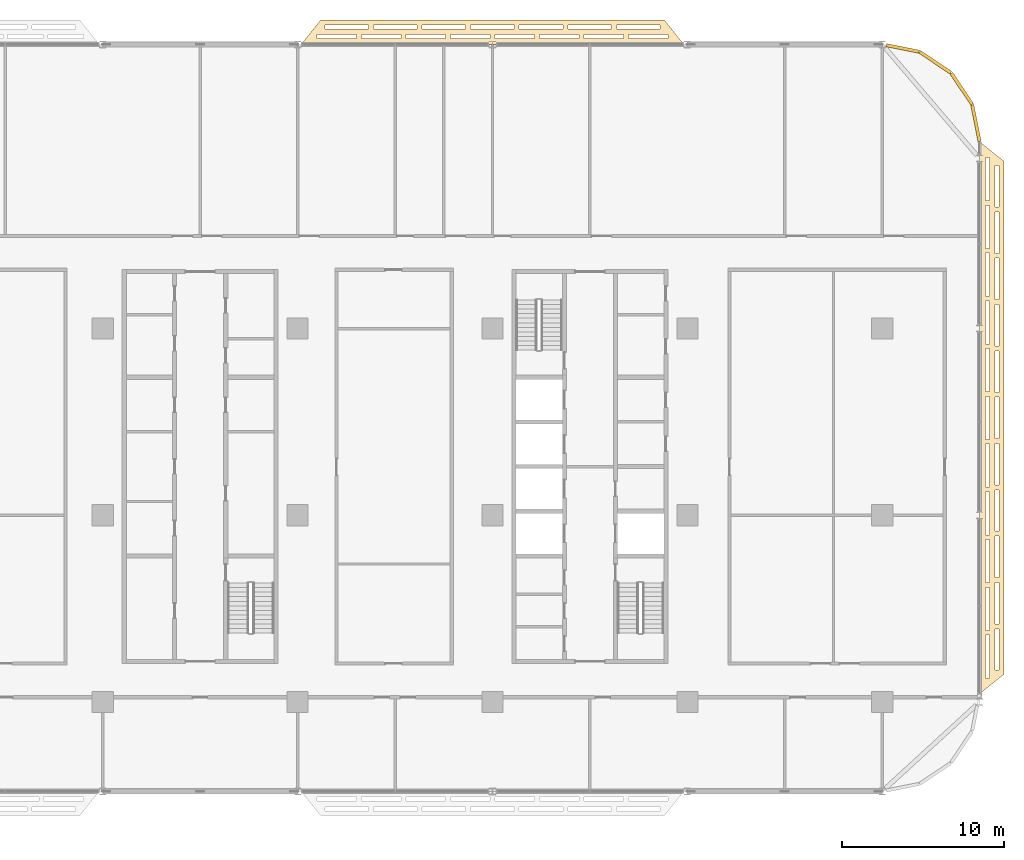
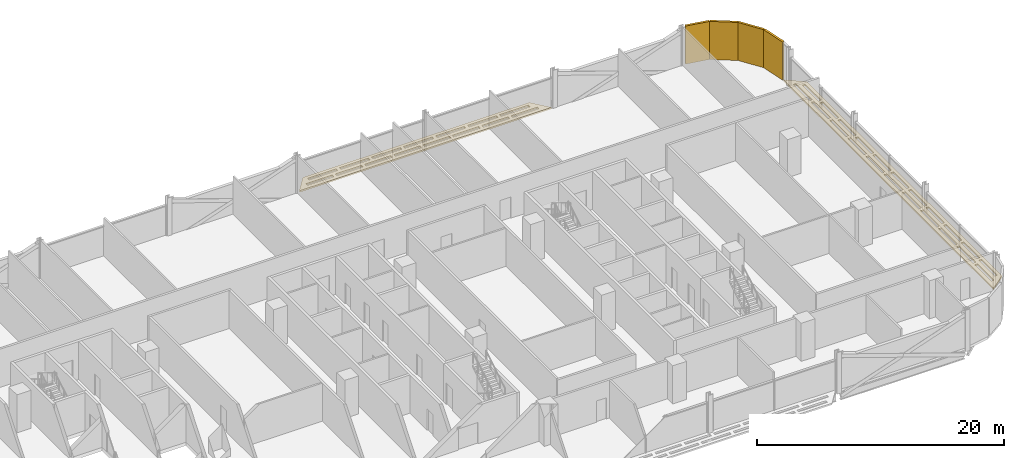
# One storey, part 29 of 29: 6 coverings.
"""IFC4 building model written with IfcOpenShell, lengths in metres."""

from ifc_helpers import new_model, si_unit, direction, frame, origin, origin_2d, place, context, subcontext, project, spatial, polyline, rectangle, outline, extrude, material, layer, layer_set, type_object, element, save


model = new_model("IFC4")

# Units and contexts
model_context = context("Model", 3, precision=1e-05, world=origin(), true_north=direction((0.0, 1.0)))
body_context = subcontext(model_context, "Body", "Model", "MODEL_VIEW")
ifc_project = project(units=[si_unit("LENGTHUNIT", "METRE"), si_unit("AREAUNIT", "SQUARE_METRE"), si_unit("VOLUMEUNIT", "CUBIC_METRE"), si_unit("PLANEANGLEUNIT", "RADIAN"), si_unit("MASSUNIT", "GRAM", prefix="KILO")], contexts=[model_context])

# Site, building, storey
site_placement = place(None, origin())
site = spatial("IfcSite", under=ifc_project, at=site_placement, CompositionType="ELEMENT")
building_placement = place(site_placement, origin())
building = spatial("IfcBuilding", under=site, at=building_placement, Name="Mahtab Terrace Research Tower", CompositionType="ELEMENT")
storey_placement = place(building_placement, frame((0.0, 0.0, 126.10009765625)))
storey = spatial("IfcBuildingStorey", under=building, at=storey_placement, Name="L29", CompositionType="ELEMENT", Elevation=126.10009765625)

# Coverings
ifc_material_1 = material(Name="Black aluminium cladding panel", Category="aluminium")
ifc_layer_1 = layer(ifc_material_1, 0.199951171875)
ifc_layer_set_1 = layer_set([ifc_layer_1], Name="Black metal corner cladding 200")
covering_type_1 = type_object("IfcCoveringType", Name="Black metal corner cladding 200", PredefinedType="CLADDING", material=ifc_layer_set_1)
for number, where, z_axis, x_axis, name in (
    (1, (46.89306640625, 26.26953125, 0.0), (0.0, 0.0, 1.0), (-0.555291490808, 0.831655794326, 0.0), "Corner cladding L29 0"),
    (2, (45.26953125, 27.89306640625, 0.0), (0.0, 0.0, 1.0), (-0.831655794326, 0.555291490808, 0.0), "Corner cladding L29 1"),
):
    element("IfcCovering", number, at=place(storey_placement, frame(where, z_axis=z_axis, x_axis=x_axis)), inside=storey, type_object=covering_type_1, Name=name, PredefinedType="CLADDING", context=body_context, shape_type="SweptSolid", body=[
        extrude(rectangle(XDim=2.30126953125, YDim=0.199951171875, at=origin_2d()), origin(), (0.0, 0.0, 1.0), 3.760009765625),
    ])
covering_1_placement = place(storey_placement, frame((43.263916015625, 28.74853515625, 0.0), z_axis=(0.0, 0.0, 1.0), x_axis=(-0.980760981187, 0.195212442692, 0.0)))
element("IfcCovering", 3, at=covering_1_placement, inside=storey, type_object=covering_type_1, Name="Corner cladding L29 2", PredefinedType="CLADDING", context=body_context, shape_type="SweptSolid", body=[
    extrude(rectangle(XDim=2.064697265625, YDim=0.199951171875, at=origin_2d()), origin(), (0.0, 0.0, 1.0), 3.760009765625),
])
covering_2_placement = place(storey_placement, frame((47.771484375, 24.14794921875, 0.0), z_axis=(0.0, 0.0, 1.0), x_axis=(-0.195212442692, 0.980760981187, 0.0)))
element("IfcCovering", 4, at=covering_2_placement, inside=storey, type_object=covering_type_1, Name="Corner cladding L29 40", PredefinedType="CLADDING", context=body_context, shape_type="SweptSolid", body=[
    extrude(rectangle(XDim=2.30126953125, YDim=0.199951171875, at=origin_2d()), origin(), (0.0, 0.0, 1.0), 3.760009765625),
])
ifc_material_2 = material(Name="Black anodised aluminium", Category="aluminium")
ifc_layer_2 = layer(ifc_material_2, 0.14990234375)
ifc_layer_set_2 = layer_set([ifc_layer_2], Name="Horizontal sunshade band")
covering_type_2 = type_object("IfcCoveringType", Name="Horizontal sunshade band", PredefinedType="CLADDING", material=ifc_layer_set_2)
covering_3_placement = place(storey_placement, frame((0.0, 0.0, -0.150146484375)))
element("IfcCovering", 5, at=covering_3_placement, inside=storey, type_object=covering_type_2, Name="Sunshade band L29 4", PredefinedType="CLADDING", context=body_context, shape_type="SweptSolid", body=[
    extrude(outline(polyline([(29.781982421875, 29.0), (6.218017578125, 29.0), (7.41796875, 30.5), (28.58203125, 30.5), (29.781982421875, 29.0)]), holes=[polyline([(28.802001953125, 29.35009765625), (26.364013671875, 29.35009765625), (26.364013671875, 29.60009765625), (28.802001953125, 29.60009765625), (28.802001953125, 29.35009765625)]), polyline([(26.06396484375, 29.35009765625), (23.6259765625, 29.35009765625), (23.6259765625, 29.60009765625), (26.06396484375, 29.60009765625), (26.06396484375, 29.35009765625)]), polyline([(23.325927734375, 29.35009765625), (20.887939453125, 29.35009765625), (20.887939453125, 29.60009765625), (23.325927734375, 29.60009765625), (23.325927734375, 29.35009765625)]), polyline([(20.587890625, 29.35009765625), (18.14990234375, 29.35009765625), (18.14990234375, 29.60009765625), (20.587890625, 29.60009765625), (20.587890625, 29.35009765625)]), polyline([(17.85009765625, 29.35009765625), (15.412109375, 29.35009765625), (15.412109375, 29.60009765625), (17.85009765625, 29.60009765625), (17.85009765625, 29.35009765625)]), polyline([(15.112060546875, 29.35009765625), (12.674072265625, 29.35009765625), (12.674072265625, 29.60009765625), (15.112060546875, 29.60009765625), (15.112060546875, 29.35009765625)]), polyline([(12.3740234375, 29.35009765625), (9.93603515625, 29.35009765625), (9.93603515625, 29.60009765625), (12.3740234375, 29.60009765625), (12.3740234375, 29.35009765625)]), polyline([(9.635986328125, 29.35009765625), (7.197998046875, 29.35009765625), (7.197998046875, 29.60009765625), (9.635986328125, 29.60009765625), (9.635986328125, 29.35009765625)]), polyline([(28.322021484375, 29.949951171875), (25.6298828125, 29.949951171875), (25.6298828125, 30.199951171875), (28.322021484375, 30.199951171875), (28.322021484375, 29.949951171875)]), polyline([(25.330078125, 29.949951171875), (22.637939453125, 29.949951171875), (22.637939453125, 30.199951171875), (25.330078125, 30.199951171875), (25.330078125, 29.949951171875)]), polyline([(22.337890625, 29.949951171875), (19.64599609375, 29.949951171875), (19.64599609375, 30.199951171875), (22.337890625, 30.199951171875), (22.337890625, 29.949951171875)]), polyline([(19.345947265625, 29.949951171875), (16.654052734375, 29.949951171875), (16.654052734375, 30.199951171875), (19.345947265625, 30.199951171875), (19.345947265625, 29.949951171875)]), polyline([(16.35400390625, 29.949951171875), (13.662109375, 29.949951171875), (13.662109375, 30.199951171875), (16.35400390625, 30.199951171875), (16.35400390625, 29.949951171875)]), polyline([(13.362060546875, 29.949951171875), (10.669921875, 29.949951171875), (10.669921875, 30.199951171875), (13.362060546875, 30.199951171875), (13.362060546875, 29.949951171875)]), polyline([(10.3701171875, 29.949951171875), (7.677978515625, 29.949951171875), (7.677978515625, 30.199951171875), (10.3701171875, 30.199951171875), (10.3701171875, 29.949951171875)])]), origin(), (0.0, 0.0, 1.0), 0.150146484375),
])
covering_4_placement = place(storey_placement, frame((0.0, 0.0, -0.150146484375)))
element("IfcCovering", 6, at=covering_4_placement, inside=storey, type_object=covering_type_2, Name="Sunshade band L29 36", PredefinedType="CLADDING", context=body_context, shape_type="SweptSolid", body=[
    extrude(outline(polyline([(48.0, -11.0), (48.0, 23.0), (49.5, 21.800048828125), (49.5, -9.800048828125), (48.0, -11.0)]), holes=[polyline([(48.35009765625, -10.02001953125), (48.35009765625, -7.3798828125), (48.60009765625, -7.3798828125), (48.60009765625, -10.02001953125), (48.35009765625, -10.02001953125)]), polyline([(48.35009765625, -7.080078125), (48.35009765625, -4.43994140625), (48.60009765625, -4.43994140625), (48.60009765625, -7.080078125), (48.35009765625, -7.080078125)]), polyline([(48.35009765625, -4.139892578125), (48.35009765625, -1.5), (48.60009765625, -1.5), (48.60009765625, -4.139892578125), (48.35009765625, -4.139892578125)]), polyline([(48.35009765625, -1.199951171875), (48.35009765625, 1.43994140625), (48.60009765625, 1.43994140625), (48.60009765625, -1.199951171875), (48.35009765625, -1.199951171875)]), polyline([(48.35009765625, 1.739990234375), (48.35009765625, 4.3798828125), (48.60009765625, 4.3798828125), (48.60009765625, 1.739990234375), (48.35009765625, 1.739990234375)]), polyline([(48.35009765625, 4.679931640625), (48.35009765625, 7.320068359375), (48.60009765625, 7.320068359375), (48.60009765625, 4.679931640625), (48.35009765625, 4.679931640625)]), polyline([(48.35009765625, 7.6201171875), (48.35009765625, 10.260009765625), (48.60009765625, 10.260009765625), (48.60009765625, 7.6201171875), (48.35009765625, 7.6201171875)]), polyline([(48.35009765625, 10.56005859375), (48.35009765625, 13.199951171875), (48.60009765625, 13.199951171875), (48.60009765625, 10.56005859375), (48.35009765625, 10.56005859375)]), polyline([(48.35009765625, 13.5), (48.35009765625, 16.139892578125), (48.60009765625, 16.139892578125), (48.60009765625, 13.5), (48.35009765625, 13.5)]), polyline([(48.35009765625, 16.43994140625), (48.35009765625, 19.080078125), (48.60009765625, 19.080078125), (48.60009765625, 16.43994140625), (48.35009765625, 16.43994140625)]), polyline([(48.35009765625, 19.3798828125), (48.35009765625, 22.02001953125), (48.60009765625, 22.02001953125), (48.60009765625, 19.3798828125), (48.35009765625, 19.3798828125)]), polyline([(48.949951171875, -9.5400390625), (48.949951171875, -6.987060546875), (49.199951171875, -6.987060546875), (49.199951171875, -9.5400390625), (48.949951171875, -9.5400390625)]), polyline([(48.949951171875, -6.68701171875), (48.949951171875, -4.135009765625), (49.199951171875, -4.135009765625), (49.199951171875, -6.68701171875), (48.949951171875, -6.68701171875)]), polyline([(48.949951171875, -3.8349609375), (48.949951171875, -1.281982421875), (49.199951171875, -1.281982421875), (49.199951171875, -3.8349609375), (48.949951171875, -3.8349609375)]), polyline([(48.949951171875, -0.98193359375), (48.949951171875, 1.571044921875), (49.199951171875, 1.571044921875), (49.199951171875, -0.98193359375), (48.949951171875, -0.98193359375)]), polyline([(48.949951171875, 1.87109375), (48.949951171875, 4.424072265625), (49.199951171875, 4.424072265625), (49.199951171875, 1.87109375), (48.949951171875, 1.87109375)]), polyline([(48.949951171875, 4.72412109375), (48.949951171875, 7.27587890625), (49.199951171875, 7.27587890625), (49.199951171875, 4.72412109375), (48.949951171875, 4.72412109375)]), polyline([(48.949951171875, 7.575927734375), (48.949951171875, 10.12890625), (49.199951171875, 10.12890625), (49.199951171875, 7.575927734375), (48.949951171875, 7.575927734375)]), polyline([(48.949951171875, 10.428955078125), (48.949951171875, 12.98193359375), (49.199951171875, 12.98193359375), (49.199951171875, 10.428955078125), (48.949951171875, 10.428955078125)]), polyline([(48.949951171875, 13.281982421875), (48.949951171875, 15.8349609375), (49.199951171875, 15.8349609375), (49.199951171875, 13.281982421875), (48.949951171875, 13.281982421875)]), polyline([(48.949951171875, 16.135009765625), (48.949951171875, 18.68701171875), (49.199951171875, 18.68701171875), (49.199951171875, 16.135009765625), (48.949951171875, 16.135009765625)]), polyline([(48.949951171875, 18.987060546875), (48.949951171875, 21.5400390625), (49.199951171875, 21.5400390625), (49.199951171875, 18.987060546875), (48.949951171875, 18.987060546875)])]), origin(), (0.0, 0.0, 1.0), 0.150146484375),
])

save(model, "model.ifc")
